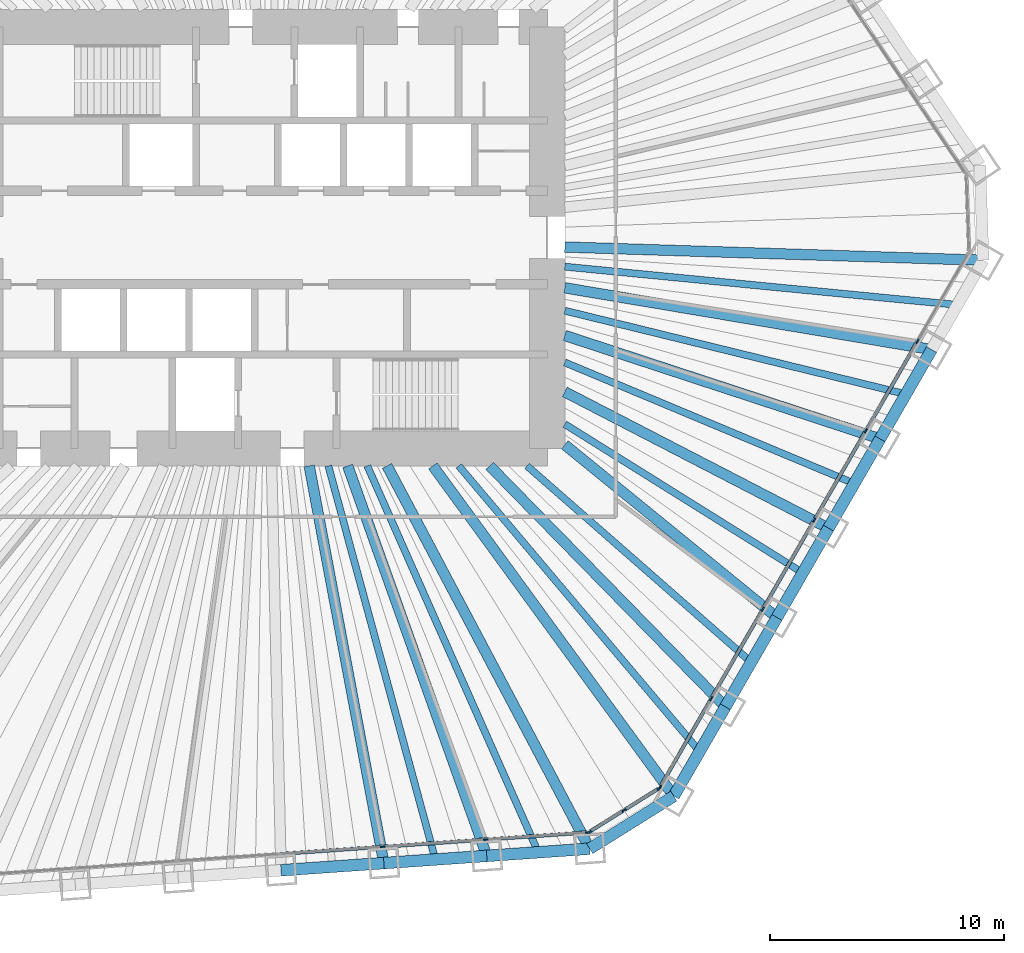
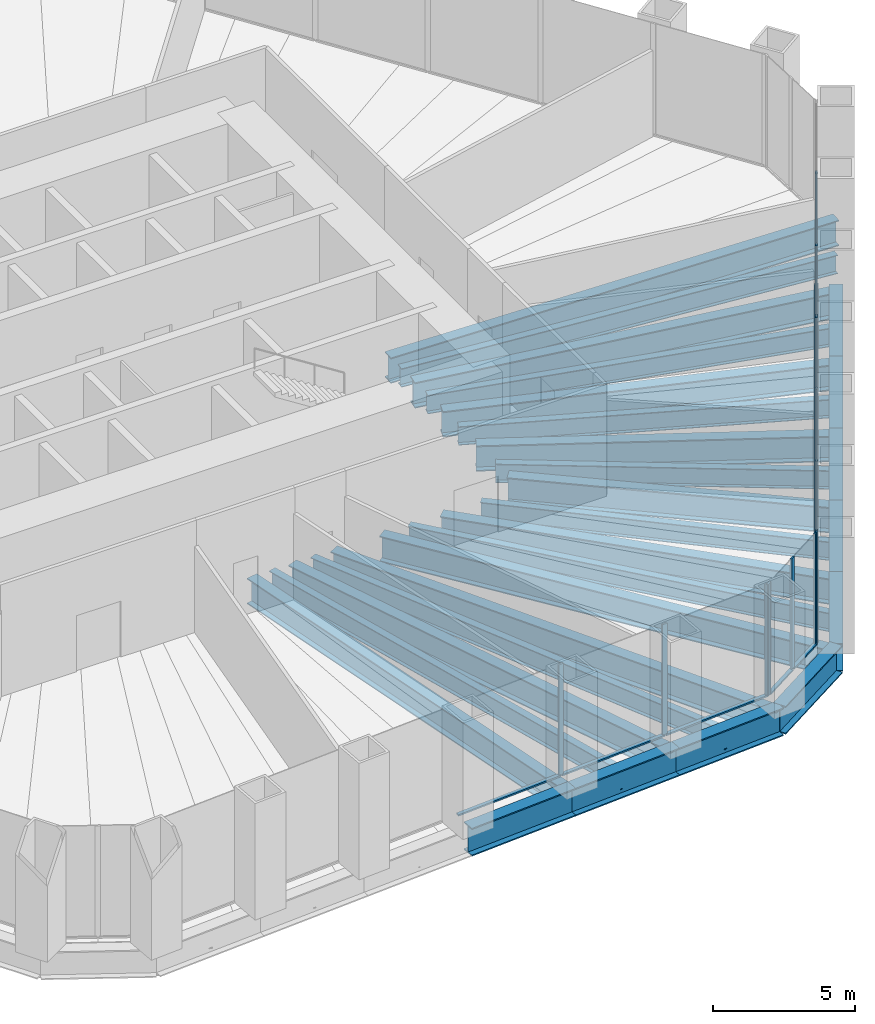
# One storey, part 4 of 13: 27 beams, 22 members, 3 elements without a shape of their own.
"""IFC4 building model written with IfcOpenShell, lengths in metres."""

from ifc_helpers import new_model, si_unit, direction, frame, origin, origin_2d, place, context, subcontext, project, spatial, rectangle, i_section, extrude, material, material_profile, profile_set, type_object, element, aggregate, save


model = new_model("IFC4")

# Units and contexts
model_context = context("Model", 3, precision=1e-05, world=origin(), true_north=direction((0.0, 1.0)))
body_context = subcontext(model_context, "Body", "Model", "MODEL_VIEW")
ifc_project = project(units=[si_unit("LENGTHUNIT", "METRE"), si_unit("AREAUNIT", "SQUARE_METRE"), si_unit("VOLUMEUNIT", "CUBIC_METRE"), si_unit("PLANEANGLEUNIT", "RADIAN"), si_unit("MASSUNIT", "GRAM", prefix="KILO")], contexts=[model_context])

# Site, building, storey
site_placement = place(None, origin())
site = spatial("IfcSite", under=ifc_project, at=site_placement, CompositionType="ELEMENT")
building_placement = place(site_placement, origin())
building = spatial("IfcBuilding", under=site, at=building_placement, Name="Qingtian Harvest Tower", CompositionType="ELEMENT")
storey_placement = place(building_placement, frame((0.0, 0.0, 22.0)))
storey = spatial("IfcBuildingStorey", under=building, at=storey_placement, Name="L04", CompositionType="ELEMENT", Elevation=22.0)

# Beams
ifc_material_1 = material(Name="Steel SM570MC", Category="steel")
ifc_material_profile_1 = material_profile(ifc_material_1, i_section(OverallWidth=0.449951171875, OverallDepth=1.10009765625, WebThickness=0.02197265625, FlangeThickness=0.044921875, at=origin_2d()), Name="H1100x450x22x45")
ifc_profile_set_1 = profile_set([ifc_material_profile_1], Name="Steel SM570MC")
beam_type_1 = type_object("IfcBeamType", Name="Corner floor beam FB8 H1100x450x22x45", PredefinedType="BEAM", material=ifc_profile_set_1)
beam_1_placement = place(storey_placement, frame((30.618408203125, -0.96728515625, -0.75), z_axis=(-0.999501426546, 0.031573696842, 0.0), x_axis=(-0.031573696842, -0.999501426546, 0.0)))
element("IfcBeam", 1, at=beam_1_placement, inside=storey, type_object=beam_type_1, Name="Floor beam FB8 SE0", PredefinedType="BEAM", context=body_context, shape_type="SweptSolid", body=[
    extrude(i_section(OverallWidth=0.449951171875, OverallDepth=1.10009765625, WebThickness=0.02197265625, FlangeThickness=0.044921875, at=origin_2d()), origin(), (0.0, 0.0, 1.0), 17.87744140625),
])
beam_2_placement = place(storey_placement, frame((17.404541015625, -23.854248046875, -0.75), z_axis=(-0.58941234871, 0.807832336062, 0.0), x_axis=(-0.807832336062, -0.58941234871, 0.0)))
element("IfcBeam", 2, at=beam_2_placement, inside=storey, type_object=beam_type_1, Name="Floor beam FB8 SE6", PredefinedType="BEAM", context=body_context, shape_type="SweptSolid", body=[
    extrude(i_section(OverallWidth=0.449951171875, OverallDepth=1.10009765625, WebThickness=0.02197265625, FlangeThickness=0.044921875, at=origin_2d()), origin(), (0.0, 0.0, 1.0), 17.45947265625),
])
beam_3_placement = place(storey_placement, frame((13.810546875, -26.10009765625, -0.75), z_axis=(-0.467705182679, 0.883884529843, 0.0), x_axis=(-0.883884529843, -0.467705182679, 0.0)))
element("IfcBeam", 3, at=beam_3_placement, inside=storey, type_object=beam_type_1, Name="Floor beam FB8 S0", PredefinedType="BEAM", context=body_context, shape_type="SweptSolid", body=[
    extrude(i_section(OverallWidth=0.449951171875, OverallDepth=1.10009765625, WebThickness=0.02197265625, FlangeThickness=0.044921875, at=origin_2d()), origin(), (0.0, 0.0, 1.0), 18.498046875),
])
ifc_material_2 = material(Name="Steel SM570MC", Category="steel")
ifc_material_profile_2 = material_profile(ifc_material_2, i_section(OverallWidth=0.449951171875, OverallDepth=1.10009765625, WebThickness=0.02197265625, FlangeThickness=0.044921875, at=origin_2d()), Name="H1100x450x22x45")
ifc_profile_set_2 = profile_set([ifc_material_profile_2], Name="Steel SM570MC")
beam_type_2 = type_object("IfcBeamType", Name="Floor beam FB1 H1100x450x22x45", PredefinedType="BEAM", material=ifc_profile_set_2)
beam_4_placement = place(storey_placement, frame((28.416015625, -4.78173828125, -0.75), z_axis=(-0.986135195489, 0.16594389479, 0.0), x_axis=(-0.16594389479, -0.986135195489, 0.0)))
element("IfcBeam", 4, at=beam_4_placement, inside=storey, type_object=beam_type_2, Name="Floor beam FB1 SE1", PredefinedType="BEAM", context=body_context, shape_type="SweptSolid", body=[
    extrude(i_section(OverallWidth=0.449951171875, OverallDepth=1.10009765625, WebThickness=0.02197265625, FlangeThickness=0.044921875, at=origin_2d()), origin(), (0.0, 0.0, 1.0), 15.88623046875),
])
beam_5_placement = place(storey_placement, frame((26.2138671875, -8.596435546875, -0.75), z_axis=(-0.950210724421, 0.311608053803, 0.0), x_axis=(-0.311608053803, -0.950210724421, 0.0)))
element("IfcBeam", 5, at=beam_5_placement, inside=storey, type_object=beam_type_2, Name="Floor beam FB1 SE2", PredefinedType="BEAM", context=body_context, shape_type="SweptSolid", body=[
    extrude(i_section(OverallWidth=0.449951171875, OverallDepth=1.10009765625, WebThickness=0.02197265625, FlangeThickness=0.044921875, at=origin_2d()), origin(), (0.0, 0.0, 1.0), 14.16943359375),
])
beam_6_placement = place(storey_placement, frame((24.011474609375, -12.410888671875, -0.75), z_axis=(-0.888349581519, 0.45916774823, 0.0), x_axis=(-0.45916774823, -0.888349581519, 0.0)))
element("IfcBeam", 6, at=beam_6_placement, inside=storey, type_object=beam_type_2, Name="Floor beam FB1 SE3", PredefinedType="BEAM", context=body_context, shape_type="SweptSolid", body=[
    extrude(i_section(OverallWidth=0.449951171875, OverallDepth=1.10009765625, WebThickness=0.02197265625, FlangeThickness=0.044921875, at=origin_2d()), origin(), (0.0, 0.0, 1.0), 12.6767578125),
])
beam_7_placement = place(storey_placement, frame((21.809326171875, -16.225341796875, -0.75), z_axis=(-0.775504415669, 0.631342142802, 0.0), x_axis=(-0.631342142802, -0.775504415669, 0.0)))
element("IfcBeam", 7, at=beam_7_placement, inside=storey, type_object=beam_type_2, Name="Floor beam FB1 SE4", PredefinedType="BEAM", context=body_context, shape_type="SweptSolid", body=[
    extrude(i_section(OverallWidth=0.449951171875, OverallDepth=1.10009765625, WebThickness=0.02197265625, FlangeThickness=0.044921875, at=origin_2d()), origin(), (0.0, 0.0, 1.0), 11.681884765625),
])
beam_8_placement = place(storey_placement, frame((19.60693359375, -20.039794921875, -0.75), z_axis=(-0.699348221539, 0.714781130858, 0.0), x_axis=(-0.714781130858, -0.699348221539, 0.0)))
element("IfcBeam", 8, at=beam_8_placement, inside=storey, type_object=beam_type_2, Name="Floor beam FB1 SE5", PredefinedType="BEAM", context=body_context, shape_type="SweptSolid", body=[
    extrude(i_section(OverallWidth=0.449951171875, OverallDepth=1.10009765625, WebThickness=0.02197265625, FlangeThickness=0.044921875, at=origin_2d()), origin(), (0.0, 0.0, 1.0), 14.395751953125),
])
beam_9_placement = place(storey_placement, frame((9.41650390625, -26.407470703125, -0.75), z_axis=(-0.33586498155, 0.941910141239, 0.0), x_axis=(-0.941910141239, -0.33586498155, 0.0)))
element("IfcBeam", 9, at=beam_9_placement, inside=storey, type_object=beam_type_2, Name="Floor beam FB1 S1", PredefinedType="BEAM", context=body_context, shape_type="SweptSolid", body=[
    extrude(i_section(OverallWidth=0.449951171875, OverallDepth=1.10009765625, WebThickness=0.02197265625, FlangeThickness=0.044921875, at=origin_2d()), origin(), (0.0, 0.0, 1.0), 17.684814453125),
])
beam_10_placement = place(storey_placement, frame((5.022705078125, -26.714599609375, -0.75), z_axis=(-0.184782942099, 0.98277935688, 0.0), x_axis=(-0.98277935688, -0.184782942099, 0.0)))
element("IfcBeam", 10, at=beam_10_placement, inside=storey, type_object=beam_type_2, Name="Floor beam FB1 S2", PredefinedType="BEAM", context=body_context, shape_type="SweptSolid", body=[
    extrude(i_section(OverallWidth=0.449951171875, OverallDepth=1.10009765625, WebThickness=0.02197265625, FlangeThickness=0.044921875, at=origin_2d()), origin(), (0.0, 0.0, 1.0), 17.261962890625),
])
ifc_material_3 = material(Name="Steel SN490B", Category="steel")
ifc_material_profile_3 = material_profile(ifc_material_3, i_section(OverallWidth=0.300048828125, OverallDepth=0.800048828125, WebThickness=0.013916015625, FlangeThickness=0.02587890625, at=origin_2d()), Name="H800x300x14x26")
ifc_profile_set_3 = profile_set([ifc_material_profile_3], Name="Steel SN490B")
beam_type_3 = type_object("IfcBeamType", Name="Floor joist J1 H800x300x14x26", PredefinedType="JOIST", material=ifc_profile_set_3)
beam_11_placement = place(storey_placement, frame((29.517333984375, -2.87451171875, -0.60009765625), z_axis=(-0.995291970786, 0.096922097011, 0.0), x_axis=(-0.096922097011, -0.995291970786, 0.0)))
element("IfcBeam", 11, at=beam_11_placement, inside=storey, type_object=beam_type_3, Name="Floor joist J1 SE0", PredefinedType="JOIST", context=body_context, shape_type="SweptSolid", body=[
    extrude(i_section(OverallWidth=0.300048828125, OverallDepth=0.800048828125, WebThickness=0.013916015625, FlangeThickness=0.02587890625, at=origin_2d()), origin(), (0.0, 0.0, 1.0), 16.8466796875),
])
beam_12_placement = place(storey_placement, frame((27.31494140625, -6.68896484375, -0.60009765625), z_axis=(-0.971301533706, 0.237851488583, 0.0), x_axis=(-0.237851488583, -0.971301533706, 0.0)))
element("IfcBeam", 12, at=beam_12_placement, inside=storey, type_object=beam_type_3, Name="Floor joist J1 SE1", PredefinedType="JOIST", context=body_context, shape_type="SweptSolid", body=[
    extrude(i_section(OverallWidth=0.300048828125, OverallDepth=0.800048828125, WebThickness=0.013916015625, FlangeThickness=0.02587890625, at=origin_2d()), origin(), (0.0, 0.0, 1.0), 14.995361328125),
])
beam_13_placement = place(storey_placement, frame((25.112548828125, -10.503662109375, -0.60009765625), z_axis=(-0.922550516103, 0.385876334125, 0.0), x_axis=(-0.385876334125, -0.922550516103, 0.0)))
element("IfcBeam", 13, at=beam_13_placement, inside=storey, type_object=beam_type_3, Name="Floor joist J1 SE2", PredefinedType="JOIST", context=body_context, shape_type="SweptSolid", body=[
    extrude(i_section(OverallWidth=0.300048828125, OverallDepth=0.800048828125, WebThickness=0.013916015625, FlangeThickness=0.02587890625, at=origin_2d()), origin(), (0.0, 0.0, 1.0), 13.400390625),
])
beam_14_placement = place(storey_placement, frame((22.910400390625, -14.318115234375, -0.60009765625), z_axis=(-0.848013185461, 0.52997512893, 0.0), x_axis=(-0.52997512893, -0.848013185461, 0.0)))
element("IfcBeam", 14, at=beam_14_placement, inside=storey, type_object=beam_type_3, Name="Floor joist J1 SE3", PredefinedType="JOIST", context=body_context, shape_type="SweptSolid", body=[
    extrude(i_section(OverallWidth=0.300048828125, OverallDepth=0.800048828125, WebThickness=0.013916015625, FlangeThickness=0.02587890625, at=origin_2d()), origin(), (0.0, 0.0, 1.0), 11.9814453125),
])
beam_15_placement = place(storey_placement, frame((20.7080078125, -18.132568359375, -0.60009765625), z_axis=(-0.75234369212, 0.658770801514, 0.0), x_axis=(-0.658770801514, -0.75234369212, 0.0)))
element("IfcBeam", 15, at=beam_15_placement, inside=storey, type_object=beam_type_3, Name="Floor joist J1 SE4", PredefinedType="JOIST", context=body_context, shape_type="SweptSolid", body=[
    extrude(i_section(OverallWidth=0.300048828125, OverallDepth=0.800048828125, WebThickness=0.013916015625, FlangeThickness=0.02587890625, at=origin_2d()), origin(), (0.0, 0.0, 1.0), 12.724609375),
])
beam_16_placement = place(storey_placement, frame((18.505859375, -21.947021484375, -0.60009765625), z_axis=(-0.644630398038, 0.76449437534, 0.0), x_axis=(-0.76449437534, -0.644630398038, 0.0)))
element("IfcBeam", 16, at=beam_16_placement, inside=storey, type_object=beam_type_3, Name="Floor joist J1 SE5", PredefinedType="JOIST", context=body_context, shape_type="SweptSolid", body=[
    extrude(i_section(OverallWidth=0.300048828125, OverallDepth=0.800048828125, WebThickness=0.013916015625, FlangeThickness=0.02587890625, at=origin_2d()), origin(), (0.0, 0.0, 1.0), 15.954345703125),
])
beam_17_placement = place(storey_placement, frame((11.613525390625, -26.25390625, -0.60009765625), z_axis=(-0.404539958959, 0.914520323233, 0.0), x_axis=(-0.914520323233, -0.404539958959, 0.0)))
element("IfcBeam", 17, at=beam_17_placement, inside=storey, type_object=beam_type_3, Name="Floor joist J1 S0", PredefinedType="JOIST", context=body_context, shape_type="SweptSolid", body=[
    extrude(i_section(OverallWidth=0.300048828125, OverallDepth=0.800048828125, WebThickness=0.013916015625, FlangeThickness=0.02587890625, at=origin_2d()), origin(), (0.0, 0.0, 1.0), 18.046630859375),
])
beam_18_placement = place(storey_placement, frame((7.2197265625, -26.56103515625, -0.60009765625), z_axis=(-0.262302659247, 0.964985655309, 0.0), x_axis=(-0.964985655309, -0.262302659247, 0.0)))
element("IfcBeam", 18, at=beam_18_placement, inside=storey, type_object=beam_type_3, Name="Floor joist J1 S1", PredefinedType="JOIST", context=body_context, shape_type="SweptSolid", body=[
    extrude(i_section(OverallWidth=0.300048828125, OverallDepth=0.800048828125, WebThickness=0.013916015625, FlangeThickness=0.02587890625, at=origin_2d()), origin(), (0.0, 0.0, 1.0), 17.421142578125),
])

# Curtain wall, members
ifc_material_4 = material(Name="Bronze-anodised aluminium curtain wall", Category="aluminium")
curtain_wall_type = type_object("IfcCurtainWallType", Name="Curtain wall CW2 farm reception", PredefinedType="USERDEFINED", material=ifc_material_4)
curtain_wall_1_placement = place(storey_placement, origin())
curtain_wall_1 = element("IfcCurtainWall", 19, at=curtain_wall_1_placement, inside=storey, type_object=curtain_wall_type, Name="Curtain wall CW2 L04 SE0-5", ObjectType="RECESSED CURTAIN WALL", PredefinedType="USERDEFINED")
ifc_material_5 = material(Name="Bronze-anodised aluminium mullion", Category="aluminium")
ifc_material_profile_4 = material_profile(ifc_material_5, rectangle(XDim=0.06494140625, YDim=0.199951171875, at=origin_2d()), Name="AL 65x200")
ifc_profile_set_4 = profile_set([ifc_material_profile_4], Name="Bronze-anodised aluminium mullion")
member_type_1 = type_object("IfcMemberType", Name="Mullion CWM 65x200", PredefinedType="MULLION", material=ifc_profile_set_4)
member_1_placement = place(storey_placement, frame((27.809814453125, -4.431884765625, 0.0), z_axis=(0.0, 0.0, 1.0), x_axis=(0.866025403784, -0.5, 0.0)))
member_1 = element("IfcMember", 20, at=member_1_placement, type_object=member_type_1, Name="CW2 mullion 2", PredefinedType="MULLION", context=body_context, shape_type="SweptSolid", body=[
    extrude(rectangle(XDim=0.06494140625, YDim=0.199951171875, at=origin_2d()), origin(), (0.0, 0.0, 1.0), 4.800048828125),
])
member_2_placement = place(storey_placement, frame((25.607666015625, -8.246337890625, 0.0), z_axis=(0.0, 0.0, 1.0), x_axis=(0.866025403784, -0.5, 0.0)))
member_2 = element("IfcMember", 21, at=member_2_placement, type_object=member_type_1, Name="CW2 mullion 3", PredefinedType="MULLION", context=body_context, shape_type="SweptSolid", body=[
    extrude(rectangle(XDim=0.06494140625, YDim=0.199951171875, at=origin_2d()), origin(), (0.0, 0.0, 1.0), 4.800048828125),
])
member_3_placement = place(storey_placement, frame((23.4052734375, -12.060791015625, 0.0), z_axis=(0.0, 0.0, 1.0), x_axis=(0.866025403784, -0.5, 0.0)))
member_3 = element("IfcMember", 22, at=member_3_placement, type_object=member_type_1, Name="CW2 mullion 4", PredefinedType="MULLION", context=body_context, shape_type="SweptSolid", body=[
    extrude(rectangle(XDim=0.06494140625, YDim=0.199951171875, at=origin_2d()), origin(), (0.0, 0.0, 1.0), 4.800048828125),
])
member_4_placement = place(storey_placement, frame((21.202880859375, -15.875244140625, 0.0), z_axis=(0.0, 0.0, 1.0), x_axis=(0.866025403784, -0.5, 0.0)))
member_4 = element("IfcMember", 23, at=member_4_placement, type_object=member_type_1, Name="CW2 mullion 5", PredefinedType="MULLION", context=body_context, shape_type="SweptSolid", body=[
    extrude(rectangle(XDim=0.06494140625, YDim=0.199951171875, at=origin_2d()), origin(), (0.0, 0.0, 1.0), 4.800048828125),
])
member_5_placement = place(storey_placement, frame((19.000732421875, -19.68994140625, 0.0), z_axis=(0.0, 0.0, 1.0), x_axis=(0.866025403784, -0.5, 0.0)))
member_5 = element("IfcMember", 24, at=member_5_placement, type_object=member_type_1, Name="CW2 mullion 6", PredefinedType="MULLION", context=body_context, shape_type="SweptSolid", body=[
    extrude(rectangle(XDim=0.06494140625, YDim=0.199951171875, at=origin_2d()), origin(), (0.0, 0.0, 1.0), 4.800048828125),
])
member_6_placement = place(storey_placement, frame((16.814697265625, -23.47607421875, 0.0), z_axis=(0.0, 0.0, 1.0), x_axis=(0.866025403784, -0.5, 0.0)))
member_6 = element("IfcMember", 25, at=member_6_placement, type_object=member_type_1, Name="CW2 mullion 7", PredefinedType="MULLION", context=body_context, shape_type="SweptSolid", body=[
    extrude(rectangle(XDim=0.06494140625, YDim=0.199951171875, at=origin_2d()), origin(), (0.0, 0.0, 1.0), 4.800048828125),
])

curtain_wall_2_placement = place(storey_placement, origin())
curtain_wall_2 = element("IfcCurtainWall", 26, at=curtain_wall_2_placement, inside=storey, type_object=curtain_wall_type, Name="Curtain wall CW2 L04 SEC", ObjectType="RECESSED CURTAIN WALL", PredefinedType="USERDEFINED")
member_7_placement = place(storey_placement, frame((16.770751953125, -23.521484375, 0.0), z_axis=(0.0, 0.0, 1.0), x_axis=(0.529919264233, -0.848048096156, 0.0)))
member_7 = element("IfcMember", 27, at=member_7_placement, type_object=member_type_1, Name="CW2 mullion 1", PredefinedType="MULLION", context=body_context, shape_type="SweptSolid", body=[
    extrude(rectangle(XDim=0.06494140625, YDim=0.199951171875, at=origin_2d()), origin(), (0.0, 0.0, 1.0), 4.800048828125),
])
member_8_placement = place(storey_placement, frame((15.280029296875, -24.453125, 0.0), z_axis=(0.0, 0.0, 1.0), x_axis=(0.529919264233, -0.848048096156, 0.0)))
member_8 = element("IfcMember", 28, at=member_8_placement, type_object=member_type_1, Name="CW2 mullion 2", PredefinedType="MULLION", context=body_context, shape_type="SweptSolid", body=[
    extrude(rectangle(XDim=0.06494140625, YDim=0.199951171875, at=origin_2d()), origin(), (0.0, 0.0, 1.0), 4.800048828125),
])
member_9_placement = place(storey_placement, frame((13.789306640625, -25.384765625, 0.0), z_axis=(0.0, 0.0, 1.0), x_axis=(0.529919264233, -0.848048096156, 0.0)))
member_9 = element("IfcMember", 29, at=member_9_placement, type_object=member_type_1, Name="CW2 mullion 3", PredefinedType="MULLION", context=body_context, shape_type="SweptSolid", body=[
    extrude(rectangle(XDim=0.06494140625, YDim=0.199951171875, at=origin_2d()), origin(), (0.0, 0.0, 1.0), 4.800048828125),
])

curtain_wall_3_placement = place(storey_placement, origin())
curtain_wall_3 = element("IfcCurtainWall", 30, at=curtain_wall_3_placement, inside=storey, type_object=curtain_wall_type, Name="Curtain wall CW2 L04 S0-5", ObjectType="RECESSED CURTAIN WALL", PredefinedType="USERDEFINED")
member_10_placement = place(storey_placement, frame((13.729248046875, -25.404296875, 0.0), z_axis=(0.0, 0.0, 1.0), x_axis=(0.069756473744, -0.99756405026, 0.0)))
member_10 = element("IfcMember", 31, at=member_10_placement, type_object=member_type_1, Name="CW2 mullion 1", PredefinedType="MULLION", context=body_context, shape_type="SweptSolid", body=[
    extrude(rectangle(XDim=0.06494140625, YDim=0.199951171875, at=origin_2d()), origin(), (0.0, 0.0, 1.0), 4.800048828125),
])
member_11_placement = place(storey_placement, frame((9.36767578125, -25.709228515625, 0.0), z_axis=(0.0, 0.0, 1.0), x_axis=(0.069756473744, -0.99756405026, 0.0)))
member_11 = element("IfcMember", 32, at=member_11_placement, type_object=member_type_1, Name="CW2 mullion 2", PredefinedType="MULLION", context=body_context, shape_type="SweptSolid", body=[
    extrude(rectangle(XDim=0.06494140625, YDim=0.199951171875, at=origin_2d()), origin(), (0.0, 0.0, 1.0), 4.800048828125),
])
member_12_placement = place(storey_placement, frame((4.973876953125, -26.016357421875, 0.0), z_axis=(0.0, 0.0, 1.0), x_axis=(0.069756473744, -0.99756405026, 0.0)))
member_12 = element("IfcMember", 33, at=member_12_placement, type_object=member_type_1, Name="CW2 mullion 3", PredefinedType="MULLION", context=body_context, shape_type="SweptSolid", body=[
    extrude(rectangle(XDim=0.06494140625, YDim=0.199951171875, at=origin_2d()), origin(), (0.0, 0.0, 1.0), 4.800048828125),
])

# Beams
ifc_material_6 = material(Name="Steel SM570MC", Category="steel")
ifc_material_profile_5 = material_profile(ifc_material_6, i_section(OverallWidth=0.5, OverallDepth=1.199951171875, WebThickness=0.02490234375, FlangeThickness=0.050048828125, at=origin_2d()), Name="H1200x500x25x50")
ifc_profile_set_5 = profile_set([ifc_material_profile_5], Name="Steel SM570MC")
beam_type_4 = type_object("IfcBeamType", Name="Spandrel beam SB1 H1200x500x25x50", PredefinedType="SPANDREL", material=ifc_profile_set_5)
beam_19_placement = place(storey_placement, frame((28.416015625, -4.78173828125, -0.60009765625), z_axis=(-0.499954356739, -0.86605175433, 0.0), x_axis=(0.86605175433, -0.499954356739, 0.0)))
element("IfcBeam", 34, at=beam_19_placement, inside=storey, type_object=beam_type_4, Name="Spandrel SB1 SE1", PredefinedType="SPANDREL", context=body_context, shape_type="SweptSolid", body=[
    extrude(i_section(OverallWidth=0.5, OverallDepth=1.199951171875, WebThickness=0.02490234375, FlangeThickness=0.050048828125, at=origin_2d()), origin(), (0.0, 0.0, 1.0), 4.40478515625),
])
for number, where, z_axis, x_axis, name in (
    (35, (26.2138671875, -8.596435546875, -0.60009765625), (-0.50001992892, -0.866013897511, 0.0), (0.866013897511, -0.50001992892, 0.0), "Spandrel SB1 SE2"),
    (36, (24.011474609375, -12.410888671875, -0.60009765625), (-0.499978356969, -0.866037899034, 0.0), (0.866037899034, -0.499978356969, 0.0), "Spandrel SB1 SE3"),
    (37, (21.809326171875, -16.225341796875, -0.60009765625), (-0.50001992892, -0.866013897511, 0.0), (0.866013897511, -0.50001992892, 0.0), "Spandrel SB1 SE4"),
    (38, (19.60693359375, -20.039794921875, -0.60009765625), (-0.50001992892, -0.866013897511, 0.0), (0.866013897511, -0.50001992892, 0.0), "Spandrel SB1 SE5"),
):
    element("IfcBeam", number, at=place(storey_placement, frame(where, z_axis=z_axis, x_axis=x_axis)), inside=storey, type_object=beam_type_4, Name=name, PredefinedType="SPANDREL", context=body_context, shape_type="SweptSolid", body=[
        extrude(i_section(OverallWidth=0.5, OverallDepth=1.199951171875, WebThickness=0.02490234375, FlangeThickness=0.050048828125, at=origin_2d()), origin(), (0.0, 0.0, 1.0), 4.404541015625),
    ])
beam_20_placement = place(storey_placement, frame((17.404541015625, -23.854248046875, -0.60009765625), z_axis=(-0.848040374245, -0.529931621675, 0.0), x_axis=(0.529931621675, -0.848040374245, 0.0)))
element("IfcBeam", 39, at=beam_20_placement, inside=storey, type_object=beam_type_4, Name="Spandrel SB1 SEC", PredefinedType="SPANDREL", context=body_context, shape_type="SweptSolid", body=[
    extrude(i_section(OverallWidth=0.5, OverallDepth=1.199951171875, WebThickness=0.02490234375, FlangeThickness=0.050048828125, at=origin_2d()), origin(), (0.0, 0.0, 1.0), 4.238037109375),
])
beam_21_placement = place(storey_placement, frame((13.810546875, -26.10009765625, -0.60009765625), z_axis=(-0.997562286406, -0.069781693443, 0.0), x_axis=(0.069781693443, -0.997562286406, 0.0)))
element("IfcBeam", 40, at=beam_21_placement, inside=storey, type_object=beam_type_4, Name="Spandrel SB1 S0", PredefinedType="SPANDREL", context=body_context, shape_type="SweptSolid", body=[
    extrude(i_section(OverallWidth=0.5, OverallDepth=1.199951171875, WebThickness=0.02490234375, FlangeThickness=0.050048828125, at=origin_2d()), origin(), (0.0, 0.0, 1.0), 4.40478515625),
])
for number, where, z_axis, x_axis, name in (
    (41, (9.41650390625, -26.407470703125, -0.60009765625), (-0.997565873714, -0.069730392239, 0.0), (0.069730392239, -0.997565873714, 0.0), "Spandrel SB1 S1"),
    (42, (5.022705078125, -26.714599609375, -0.60009765625), (-0.997562016486, -0.069785551967, 0.0), (0.069785551967, -0.997562016486, 0.0), "Spandrel SB1 S2"),
):
    element("IfcBeam", number, at=place(storey_placement, frame(where, z_axis=z_axis, x_axis=x_axis)), inside=storey, type_object=beam_type_4, Name=name, PredefinedType="SPANDREL", context=body_context, shape_type="SweptSolid", body=[
        extrude(i_section(OverallWidth=0.5, OverallDepth=1.199951171875, WebThickness=0.02490234375, FlangeThickness=0.050048828125, at=origin_2d()), origin(), (0.0, 0.0, 1.0), 4.404541015625),
    ])

# Member
ifc_material_7 = material(Name="Bronze-anodised aluminium transom", Category="aluminium")
ifc_material_profile_6 = material_profile(ifc_material_7, rectangle(XDim=0.14990234375, YDim=0.06494140625, at=origin_2d()), Name="AL 65x150")
ifc_profile_set_6 = profile_set([ifc_material_profile_6], Name="Bronze-anodised aluminium transom")
member_type_2 = type_object("IfcMemberType", Name="Transom CWT 65x150", PredefinedType="USERDEFINED", material=ifc_profile_set_6)
member_13_placement = place(storey_placement, frame((27.793701171875, -4.4599609375, 0.032470703125), z_axis=(-0.500011390128, -0.866018827591, 0.0), x_axis=(0.866018827591, -0.500011390128, 0.0)))
member_13 = element("IfcMember", 43, at=member_13_placement, type_object=member_type_2, Name="CW2 transom 2.1", ObjectType="TRANSOM", PredefinedType="USERDEFINED", context=body_context, shape_type="SweptSolid", body=[
    extrude(rectangle(XDim=0.14990234375, YDim=0.06494140625, at=origin_2d()), origin(), (0.0, 0.0, 1.0), 4.33984375),
])

member_14_placement = place(storey_placement, frame((25.59130859375, -8.2744140625, 0.032470703125), z_axis=(-0.499969196308, -0.866043187574, 0.0), x_axis=(0.866043187574, -0.499969196308, 0.0)))
member_14 = element("IfcMember", 44, at=member_14_placement, type_object=member_type_2, Name="CW2 transom 3.1", ObjectType="TRANSOM", PredefinedType="USERDEFINED", context=body_context, shape_type="SweptSolid", body=[
    extrude(rectangle(XDim=0.14990234375, YDim=0.06494140625, at=origin_2d()), origin(), (0.0, 0.0, 1.0), 4.339599609375),
])

member_15_placement = place(storey_placement, frame((23.38916015625, -12.0888671875, 0.032470703125), z_axis=(-0.500011390128, -0.866018827591, 0.0), x_axis=(0.866018827591, -0.500011390128, 0.0)))
member_15 = element("IfcMember", 45, at=member_15_placement, type_object=member_type_2, Name="CW2 transom 4.1", ObjectType="TRANSOM", PredefinedType="USERDEFINED", context=body_context, shape_type="SweptSolid", body=[
    extrude(rectangle(XDim=0.14990234375, YDim=0.06494140625, at=origin_2d()), origin(), (0.0, 0.0, 1.0), 4.33984375),
])

member_16_placement = place(storey_placement, frame((21.186767578125, -15.903564453125, 0.032470703125), z_axis=(-0.500035751442, -0.866004761696, 0.0), x_axis=(0.866004761696, -0.500035751442, 0.0)))
member_16 = element("IfcMember", 46, at=member_16_placement, type_object=member_type_2, Name="CW2 transom 5.1", ObjectType="TRANSOM", PredefinedType="USERDEFINED", context=body_context, shape_type="SweptSolid", body=[
    extrude(rectangle(XDim=0.14990234375, YDim=0.06494140625, at=origin_2d()), origin(), (0.0, 0.0, 1.0), 4.339599609375),
])

member_17_placement = place(storey_placement, frame((18.984375, -19.718017578125, 0.032470703125), z_axis=(-0.500010313095, -0.866019449435, 0.0), x_axis=(0.866019449435, -0.500010313095, 0.0)))
member_17 = element("IfcMember", 47, at=member_17_placement, type_object=member_type_2, Name="CW2 transom 6.1", ObjectType="TRANSOM", PredefinedType="USERDEFINED", context=body_context, shape_type="SweptSolid", body=[
    extrude(rectangle(XDim=0.14990234375, YDim=0.06494140625, at=origin_2d()), origin(), (0.0, 0.0, 1.0), 4.30712890625),
])

aggregate(curtain_wall_1, [member_1, member_2, member_3, member_4, member_5, member_6, member_13, member_14, member_15, member_16, member_17])

member_18_placement = place(storey_placement, frame((16.7431640625, -23.538818359375, 0.032470703125), z_axis=(-0.848063119425, -0.529895221219, 0.0), x_axis=(0.529895221219, -0.848063119425, 0.0)))
member_18 = element("IfcMember", 48, at=member_18_placement, type_object=member_type_2, Name="CW2 transom 1.1", ObjectType="TRANSOM", PredefinedType="USERDEFINED", context=body_context, shape_type="SweptSolid", body=[
    extrude(rectangle(XDim=0.14990234375, YDim=0.06494140625, at=origin_2d()), origin(), (0.0, 0.0, 1.0), 1.692626953125),
])

member_19_placement = place(storey_placement, frame((15.25244140625, -24.470458984375, 0.032470703125), z_axis=(-0.848103609743, -0.529830413568, 0.0), x_axis=(0.529830413568, -0.848103609743, 0.0)))
member_19 = element("IfcMember", 49, at=member_19_placement, type_object=member_type_2, Name="CW2 transom 2.1", ObjectType="TRANSOM", PredefinedType="USERDEFINED", context=body_context, shape_type="SweptSolid", body=[
    extrude(rectangle(XDim=0.14990234375, YDim=0.06494140625, at=origin_2d()), origin(), (0.0, 0.0, 1.0), 1.69287109375),
])

aggregate(curtain_wall_2, [member_7, member_8, member_9, member_18, member_19])

member_20_placement = place(storey_placement, frame((13.69677734375, -25.406494140625, 0.032470703125), z_axis=(-0.997566581753, -0.069720262262, 0.0), x_axis=(0.069720262262, -0.997566581753, 0.0)))
member_20 = element("IfcMember", 50, at=member_20_placement, type_object=member_type_2, Name="CW2 transom 1.1", ObjectType="TRANSOM", PredefinedType="USERDEFINED", context=body_context, shape_type="SweptSolid", body=[
    extrude(rectangle(XDim=0.14990234375, YDim=0.06494140625, at=origin_2d()), origin(), (0.0, 0.0, 1.0), 4.30712890625),
])

member_21_placement = place(storey_placement, frame((9.33544921875, -25.71142578125, 0.032470703125), z_axis=(-0.997563824095, -0.069759707979, 0.0), x_axis=(0.069759707979, -0.997563824095, 0.0)))
member_21 = element("IfcMember", 51, at=member_21_placement, type_object=member_type_2, Name="CW2 transom 2.1", ObjectType="TRANSOM", PredefinedType="USERDEFINED", context=body_context, shape_type="SweptSolid", body=[
    extrude(rectangle(XDim=0.14990234375, YDim=0.06494140625, at=origin_2d()), origin(), (0.0, 0.0, 1.0), 4.339599609375),
])

member_22_placement = place(storey_placement, frame((4.94140625, -26.018798828125, 0.032470703125), z_axis=(-0.997567737508, -0.069703723594, 0.0), x_axis=(0.069703723594, -0.997567737508, 0.0)))
member_22 = element("IfcMember", 52, at=member_22_placement, type_object=member_type_2, Name="CW2 transom 3.1", ObjectType="TRANSOM", PredefinedType="USERDEFINED", context=body_context, shape_type="SweptSolid", body=[
    extrude(rectangle(XDim=0.14990234375, YDim=0.06494140625, at=origin_2d()), origin(), (0.0, 0.0, 1.0), 4.339599609375),
])

aggregate(curtain_wall_3, [member_10, member_11, member_12, member_20, member_21, member_22])

save(model, "model.ifc")
